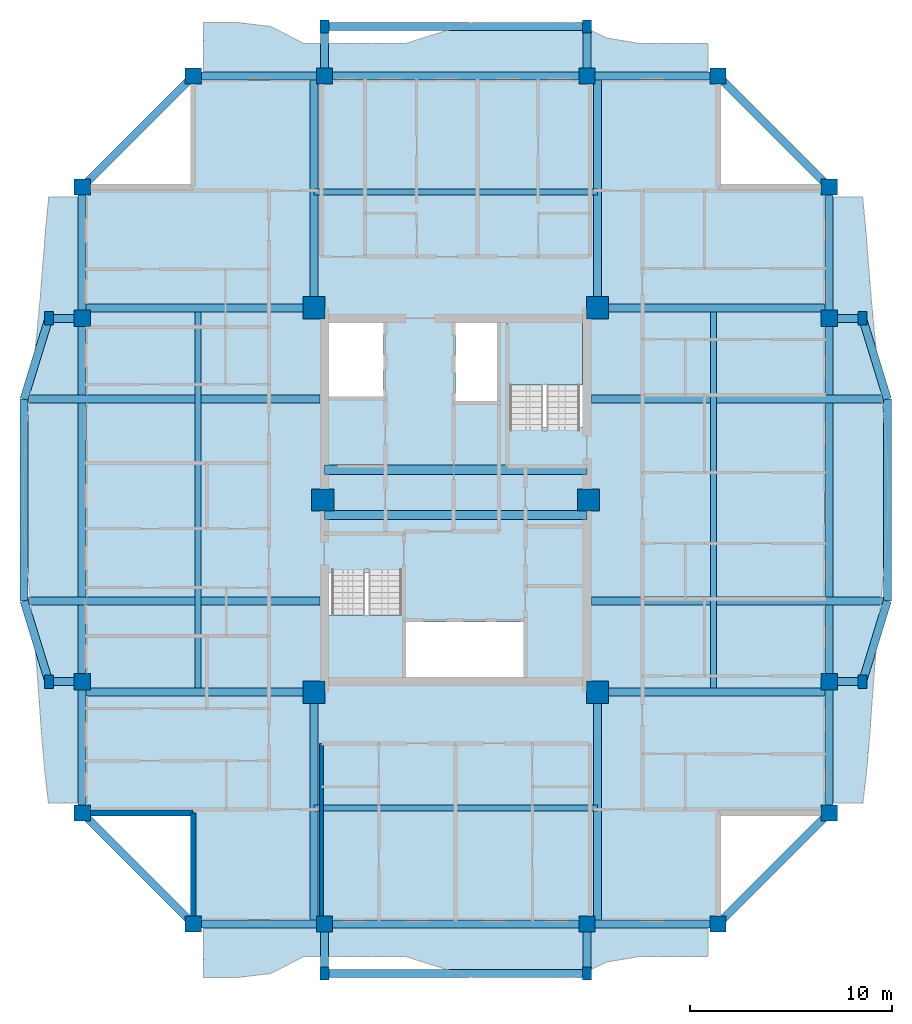
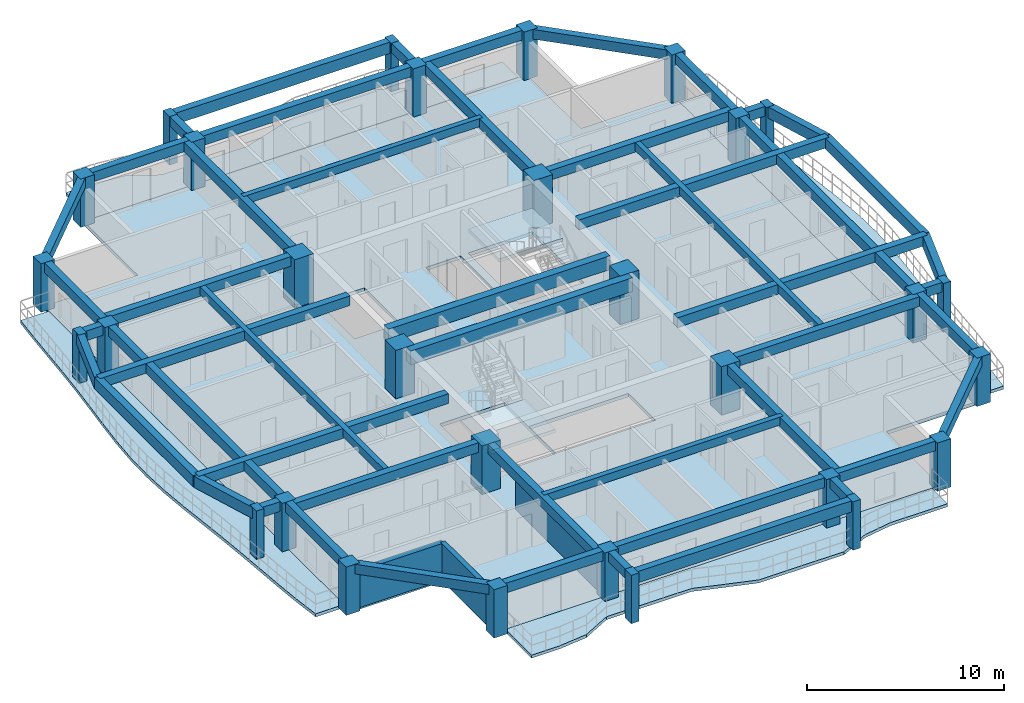
# One storey, part 1 of 13: 50 beams, 30 columns, 7 slabs, 3 walls, 2 elements without a shape of their own.
"""IFC4 building model written with IfcOpenShell, lengths in metres."""

from ifc_helpers import new_model, si_unit, direction, frame, frame_2d, origin, origin_2d, place, context, subcontext, project, spatial, polyline, rectangle, outline, extrude, source, transform, mapped, material, layer, layer_set, material_profile, profile_set, type_object, element, aggregate, save


model = new_model("IFC4")

# Units and contexts
model_context = context("Model", 3, precision=1e-05, world=origin(), true_north=direction((0.0, 1.0)))
body_context = subcontext(model_context, "Body", "Model", "MODEL_VIEW")
ifc_project = project(units=[si_unit("LENGTHUNIT", "METRE"), si_unit("AREAUNIT", "SQUARE_METRE"), si_unit("VOLUMEUNIT", "CUBIC_METRE"), si_unit("PLANEANGLEUNIT", "RADIAN"), si_unit("MASSUNIT", "GRAM", prefix="KILO")], contexts=[model_context])

# Site, building, storey
site_placement = place(None, origin())
site = spatial("IfcSite", under=ifc_project, at=site_placement, CompositionType="ELEMENT")
building_placement = place(site_placement, origin())
building = spatial("IfcBuilding", under=site, at=building_placement, Name="Saelheon Loggia Tower", CompositionType="ELEMENT")
storey_placement = place(building_placement, frame((0.0, 0.0, 199.60009765625)))
storey = spatial("IfcBuildingStorey", under=building, at=storey_placement, Name="L62", CompositionType="ELEMENT", Elevation=199.60009765625)

# Columns
ifc_material_1 = material(Name="Concrete C50/60", Category="concrete")
ifc_material_profile_1 = material_profile(ifc_material_1, rectangle(XDim=1.10009765625, YDim=1.10009765625, at=origin_2d()), Name="RC-1100x1100")
ifc_profile_set_1 = profile_set([ifc_material_profile_1], Name="Concrete C50/60")
column_type_1 = type_object("IfcColumnType", Name="Col_Core_RC1100", PredefinedType="COLUMN", material=ifc_profile_set_1)
shared_shape_1 = source(origin(), body_context, "Body", "SweptSolid", [
    extrude(rectangle(XDim=1.10009765625, YDim=1.10009765625, at=origin_2d()), origin(), (0.0, 0.0, 1.0), 3.0),
])
for number, where, z_axis, x_axis, name in (
    (1, (30.97998046875, 17.47998046875, 0.0), (0.0, 0.0, 1.0), (1.0, 0.0, 0.0), "L62 Core Column CR-SW"),
    (2, (45.02001953125, 17.47998046875, 0.0), (0.0, 0.0, 1.0), (1.0, 0.0, 0.0), "L62 Core Column CR-SE"),
    (3, (30.97998046875, 36.52001953125, 0.0), (0.0, 0.0, 1.0), (1.0, 0.0, 0.0), "L62 Core Column CR-NW"),
    (4, (45.02001953125, 36.52001953125, 0.0), (0.0, 0.0, 1.0), (1.0, 0.0, 0.0), "L62 Core Column CR-NE"),
    (5, (31.419921875, 27.0, 0.0), (0.0, 0.0, 1.0), (1.0, 0.0, 0.0), "L62 Core Column CR-MW"),
    (6, (44.580078125, 27.0, 0.0), (0.0, 0.0, 1.0), (1.0, 0.0, 0.0), "L62 Core Column CR-ME"),
):
    element("IfcColumn", number, at=place(storey_placement, frame(where, z_axis=z_axis, x_axis=x_axis)), inside=storey, type_object=column_type_1, Name=name, PredefinedType="COLUMN", context=body_context, shape_type="MappedRepresentation", body=[
        mapped(shared_shape_1, transform((0.0, 0.0, 0.0), scale=1.0)),
    ])
ifc_material_2 = material(Name="Concrete C45/55", Category="concrete")
ifc_material_profile_2 = material_profile(ifc_material_2, rectangle(XDim=0.800048828125, YDim=0.800048828125, at=origin_2d()), Name="RC-800x800")
ifc_profile_set_2 = profile_set([ifc_material_profile_2], Name="Concrete C45/55")
column_type_2 = type_object("IfcColumnType", Name="Col_Perim_RC800", PredefinedType="COLUMN", material=ifc_profile_set_2)
shared_shape_2 = source(origin(), body_context, "Body", "SweptSolid", [
    extrude(rectangle(XDim=0.800048828125, YDim=0.800048828125, at=origin_2d()), origin(), (0.0, 0.0, 1.0), 3.0),
])
for number, where, z_axis, x_axis, name in (
    (7, (25.0, 6.0, 0.0), (0.0, 0.0, 1.0), (1.0, 0.0, 0.0), "L62 Perimeter Column TP-S1"),
    (8, (31.5, 6.0, 0.0), (0.0, 0.0, 1.0), (1.0, 0.0, 0.0), "L62 Perimeter Column TP-SA"),
    (9, (44.5, 6.0, 0.0), (0.0, 0.0, 1.0), (1.0, 0.0, 0.0), "L62 Perimeter Column TP-SB"),
    (10, (51.0, 6.0, 0.0), (0.0, 0.0, 1.0), (1.0, 0.0, 0.0), "L62 Perimeter Column TP-S2"),
    (11, (56.5, 11.5, 0.0), (0.0, 0.0, 1.0), (1.0, 0.0, 0.0), "L62 Perimeter Column TP-E1"),
    (12, (56.5, 18.0, 0.0), (0.0, 0.0, 1.0), (1.0, 0.0, 0.0), "L62 Perimeter Column TP-EA"),
    (13, (56.5, 36.0, 0.0), (0.0, 0.0, 1.0), (1.0, 0.0, 0.0), "L62 Perimeter Column TP-EB"),
    (14, (56.5, 42.5, 0.0), (0.0, 0.0, 1.0), (1.0, 0.0, 0.0), "L62 Perimeter Column TP-E2"),
    (15, (51.0, 48.0, 0.0), (0.0, 0.0, 1.0), (1.0, 0.0, 0.0), "L62 Perimeter Column TP-N2"),
    (16, (44.5, 48.0, 0.0), (0.0, 0.0, 1.0), (1.0, 0.0, 0.0), "L62 Perimeter Column TP-NB"),
    (17, (31.5, 48.0, 0.0), (0.0, 0.0, 1.0), (1.0, 0.0, 0.0), "L62 Perimeter Column TP-NA"),
    (18, (25.0, 48.0, 0.0), (0.0, 0.0, 1.0), (1.0, 0.0, 0.0), "L62 Perimeter Column TP-N1"),
    (19, (19.5, 42.5, 0.0), (0.0, 0.0, 1.0), (1.0, 0.0, 0.0), "L62 Perimeter Column TP-W2"),
    (20, (19.5, 36.0, 0.0), (0.0, 0.0, 1.0), (1.0, 0.0, 0.0), "L62 Perimeter Column TP-WB"),
    (21, (19.5, 18.0, 0.0), (0.0, 0.0, 1.0), (1.0, 0.0, 0.0), "L62 Perimeter Column TP-WA"),
    (22, (19.5, 11.5, 0.0), (0.0, 0.0, 1.0), (1.0, 0.0, 0.0), "L62 Perimeter Column TP-W1"),
):
    element("IfcColumn", number, at=place(storey_placement, frame(where, z_axis=z_axis, x_axis=x_axis)), inside=storey, type_object=column_type_2, Name=name, PredefinedType="COLUMN", context=body_context, shape_type="MappedRepresentation", body=[
        mapped(shared_shape_2, transform((0.0, 0.0, 0.0), scale=1.0)),
    ])
ifc_material_3 = material(Name="Precast Concrete C45/55", Category="concrete")
ifc_material_profile_3 = material_profile(ifc_material_3, rectangle(XDim=0.449951171875, YDim=0.64990234375, at=origin_2d()), Name="RC-450x650")
ifc_profile_set_3 = profile_set([ifc_material_profile_3], Name="Precast Concrete C45/55")
column_type_3 = type_object("IfcColumnType", Name="Col_Loggia_Pilaster_650", PredefinedType="PILASTER", material=ifc_profile_set_3)
shared_shape_3 = source(origin(), body_context, "Body", "SweptSolid", [
    extrude(rectangle(XDim=0.449951171875, YDim=0.64990234375, at=origin_2d()), origin(), (0.0, 0.0, 1.0), 3.0),
])
for number, where, z_axis, x_axis, name in (
    (23, (31.5, 3.550048828125, 0.0), (0.0, 0.0, 1.0), (1.0, 0.0, 0.0), "L62 Loggia Frame Pilaster LP-S1"),
    (24, (44.5, 3.550048828125, 0.0), (0.0, 0.0, 1.0), (1.0, 0.0, 0.0), "L62 Loggia Frame Pilaster LP-S2"),
    (25, (31.5, 50.449951171875, 0.0), (0.0, 0.0, 1.0), (1.0, 0.0, 0.0), "L62 Loggia Frame Pilaster LP-N1"),
    (26, (44.5, 50.449951171875, 0.0), (0.0, 0.0, 1.0), (1.0, 0.0, 0.0), "L62 Loggia Frame Pilaster LP-N2"),
    (27, (58.14990234375, 18.0, 0.0), (0.0, 0.0, 1.0), (1.0, 0.0, 0.0), "L62 Loggia Frame Pilaster LP-E1"),
    (28, (58.14990234375, 36.0, 0.0), (0.0, 0.0, 1.0), (1.0, 0.0, 0.0), "L62 Loggia Frame Pilaster LP-E2"),
    (29, (17.85009765625, 18.0, 0.0), (0.0, 0.0, 1.0), (1.0, 0.0, 0.0), "L62 Loggia Frame Pilaster LP-W1"),
    (30, (17.85009765625, 36.0, 0.0), (0.0, 0.0, 1.0), (1.0, 0.0, 0.0), "L62 Loggia Frame Pilaster LP-W2"),
):
    element("IfcColumn", number, at=place(storey_placement, frame(where, z_axis=z_axis, x_axis=x_axis)), inside=storey, type_object=column_type_3, Name=name, PredefinedType="PILASTER", context=body_context, shape_type="MappedRepresentation", body=[
        mapped(shared_shape_3, transform((0.0, 0.0, 0.0), scale=1.0)),
    ])

# Beams
ifc_material_profile_4 = material_profile(ifc_material_1, rectangle(XDim=0.449951171875, YDim=0.85009765625, at=origin_2d()), Name="RC-450x850")
ifc_profile_set_4 = profile_set([ifc_material_profile_4], Name="Concrete C50/60")
beam_type_1 = type_object("IfcBeamType", Name="Beam_CoreLintel_RC450x850", PredefinedType="LINTEL", material=ifc_profile_set_4)
shared_shape_4 = source(origin(), body_context, "Body", "SweptSolid", [
    extrude(rectangle(XDim=0.449951171875, YDim=0.85009765625, at=origin_2d()), origin(), (0.0, 0.0, 1.0), 13.0),
])
for number, where, z_axis, x_axis, name in (
    (31, (31.5, 26.25, 2.574951171875), (1.0, 0.0, 0.0), (0.0, 1.0, 0.0), "L62 Core Coupling Lintel 1"),
    (32, (31.5, 28.5, 2.574951171875), (1.0, 0.0, 0.0), (0.0, 1.0, 0.0), "L62 Core Coupling Lintel 2"),
):
    element("IfcBeam", number, at=place(storey_placement, frame(where, z_axis=z_axis, x_axis=x_axis)), inside=storey, type_object=beam_type_1, Name=name, PredefinedType="LINTEL", context=body_context, shape_type="MappedRepresentation", body=[
        mapped(shared_shape_4, transform((0.0, 0.0, 0.0), scale=1.0)),
    ])
ifc_material_profile_5 = material_profile(ifc_material_3, rectangle(XDim=0.39990234375, YDim=0.60009765625, at=origin_2d()), Name="RC-400x600")
ifc_profile_set_5 = profile_set([ifc_material_profile_5], Name="Precast Concrete C45/55")
beam_type_2 = type_object("IfcBeamType", Name="Beam_LoggiaTie_RC400x600", PredefinedType="BEAM", material=ifc_profile_set_5)
shared_shape_5 = source(origin(), body_context, "Body", "SweptSolid", [
    extrude(rectangle(XDim=0.39990234375, YDim=0.60009765625, at=origin_2d()), origin(), (0.0, 0.0, 1.0), 2.449951171875),
])
for number, where, z_axis, x_axis, name in (
    (33, (31.5, 6.0, 2.699951171875), (0.0, -1.0, 0.0), (1.0, 0.0, 0.0), "L62 Loggia Frame Tie Beam LP-S1"),
    (34, (44.5, 6.0, 2.699951171875), (0.0, -1.0, 0.0), (1.0, 0.0, 0.0), "L62 Loggia Frame Tie Beam LP-S2"),
    (35, (31.5, 48.0, 2.699951171875), (0.0, 1.0, 0.0), (-1.0, 0.0, 0.0), "L62 Loggia Frame Tie Beam LP-N1"),
    (36, (44.5, 48.0, 2.699951171875), (0.0, 1.0, 0.0), (-1.0, 0.0, 0.0), "L62 Loggia Frame Tie Beam LP-N2"),
):
    element("IfcBeam", number, at=place(storey_placement, frame(where, z_axis=z_axis, x_axis=x_axis)), inside=storey, type_object=beam_type_2, Name=name, PredefinedType="BEAM", context=body_context, shape_type="MappedRepresentation", body=[
        mapped(shared_shape_5, transform((0.0, 0.0, 0.0), scale=1.0)),
    ])
ifc_material_4 = material(Name="Concrete C40/50", Category="concrete")
ifc_material_profile_6 = material_profile(ifc_material_4, rectangle(XDim=0.300048828125, YDim=0.5, at=origin_2d()), Name="RC-300x500")
ifc_profile_set_6 = profile_set([ifc_material_profile_6], Name="Concrete C40/50")
beam_type_3 = type_object("IfcBeamType", Name="Beam_Joist_RC300x500", PredefinedType="JOIST", material=ifc_profile_set_6)
shared_shape_6 = source(origin(), body_context, "Body", "SweptSolid", [
    extrude(rectangle(XDim=0.300048828125, YDim=0.5, at=origin_2d()), origin(), (0.0, 0.0, 1.0), 14.0400390625),
])
for number, where, z_axis, x_axis, name in (
    (37, (30.97998046875, 11.739990234375, 2.75), (1.0, 0.0, 0.0), (0.0, 1.0, 0.0), "L62 South Floor Joist"),
    (38, (30.97998046875, 42.260009765625, 2.75), (1.0, 0.0, 0.0), (0.0, 1.0, 0.0), "L62 North Floor Joist"),
):
    element("IfcBeam", number, at=place(storey_placement, frame(where, z_axis=z_axis, x_axis=x_axis)), inside=storey, type_object=beam_type_3, Name=name, PredefinedType="JOIST", context=body_context, shape_type="MappedRepresentation", body=[
        mapped(shared_shape_6, transform((0.0, 0.0, 0.0), scale=1.0)),
    ])
shared_shape_7 = source(origin(), body_context, "Body", "SweptSolid", [
    extrude(rectangle(XDim=0.300048828125, YDim=0.5, at=origin_2d()), origin(), (0.0, 0.0, 1.0), 19.0400390625),
])
for number, where, z_axis, x_axis, name in (
    (39, (25.239990234375, 17.47998046875, 2.75), (0.0, 1.0, 0.0), (-1.0, 0.0, 0.0), "L62 West Floor Joist"),
    (40, (50.760009765625, 17.47998046875, 2.75), (0.0, 1.0, 0.0), (-1.0, 0.0, 0.0), "L62 East Floor Joist"),
):
    element("IfcBeam", number, at=place(storey_placement, frame(where, z_axis=z_axis, x_axis=x_axis)), inside=storey, type_object=beam_type_3, Name=name, PredefinedType="JOIST", context=body_context, shape_type="MappedRepresentation", body=[
        mapped(shared_shape_7, transform((0.0, 0.0, 0.0), scale=1.0)),
    ])
shared_shape_8 = source(origin(), body_context, "Body", "SweptSolid", [
    extrude(rectangle(XDim=0.39990234375, YDim=0.60009765625, at=origin_2d()), origin(), (0.0, 0.0, 1.0), 1.64990234375),
])
for number, where, z_axis, x_axis, name in (
    (41, (56.5, 18.0, 2.699951171875), (1.0, 0.0, 0.0), (0.0, 1.0, 0.0), "L62 Loggia Frame Tie Beam LP-E1"),
    (42, (56.5, 36.0, 2.699951171875), (1.0, 0.0, 0.0), (0.0, 1.0, 0.0), "L62 Loggia Frame Tie Beam LP-E2"),
    (43, (19.5, 18.0, 2.699951171875), (-1.0, 0.0, 0.0), (0.0, -1.0, 0.0), "L62 Loggia Frame Tie Beam LP-W1"),
    (44, (19.5, 36.0, 2.699951171875), (-1.0, 0.0, 0.0), (0.0, -1.0, 0.0), "L62 Loggia Frame Tie Beam LP-W2"),
):
    element("IfcBeam", number, at=place(storey_placement, frame(where, z_axis=z_axis, x_axis=x_axis)), inside=storey, type_object=beam_type_2, Name=name, PredefinedType="BEAM", context=body_context, shape_type="MappedRepresentation", body=[
        mapped(shared_shape_8, transform((0.0, 0.0, 0.0), scale=1.0)),
    ])
ifc_material_profile_7 = material_profile(ifc_material_3, rectangle(XDim=0.39990234375, YDim=0.699951171875, at=origin_2d()), Name="RC-400x700")
ifc_profile_set_7 = profile_set([ifc_material_profile_7], Name="Precast Concrete C45/55")
beam_type_4 = type_object("IfcBeamType", Name="Beam_LoggiaSpandrel_RC400x700", PredefinedType="SPANDREL", material=ifc_profile_set_7)
shared_shape_9 = source(origin(), body_context, "Body", "SweptSolid", [
    extrude(rectangle(XDim=0.39990234375, YDim=0.699951171875, at=origin_2d()), origin(), (0.0, 0.0, 1.0), 13.0),
])
for number, where, z_axis, x_axis, name in (
    (45, (31.5, 3.550048828125, 2.64990234375), (1.0, 0.0, 0.0), (0.0, 1.0, 0.0), "L62 Loggia Spandrel Beam S"),
    (46, (31.5, 50.449951171875, 2.64990234375), (1.0, 0.0, 0.0), (0.0, 1.0, 0.0), "L62 Loggia Spandrel Beam N"),
):
    element("IfcBeam", number, at=place(storey_placement, frame(where, z_axis=z_axis, x_axis=x_axis)), inside=storey, type_object=beam_type_4, Name=name, PredefinedType="SPANDREL", context=body_context, shape_type="MappedRepresentation", body=[
        mapped(shared_shape_9, transform((0.0, 0.0, 0.0), scale=1.0)),
    ])
shared_shape_10 = source(origin(), body_context, "Body", "SweptSolid", [
    extrude(rectangle(XDim=0.39990234375, YDim=0.699951171875, at=origin_2d()), origin(), (0.0, 0.0, 1.0), 4.184814453125),
])
for number, where, z_axis, x_axis, name in (
    (47, (58.14990234375, 18.0, 2.64990234375), (0.293913664135, 0.955831971653, 0.0), (-0.955831971653, 0.293913664135, 0.0), "L62 Curved Loggia Spandrel E 1"),
    (48, (59.3798828125, 32.0, 2.64990234375), (-0.293913664135, 0.955831971653, 0.0), (-0.955831971653, -0.293913664135, 0.0), "L62 Curved Loggia Spandrel E 3"),
    (49, (17.85009765625, 18.0, 2.64990234375), (-0.293913664135, 0.955831971653, 0.0), (-0.955831971653, -0.293913664135, 0.0), "L62 Curved Loggia Spandrel W 1"),
    (50, (16.6201171875, 32.0, 2.64990234375), (0.293913664135, 0.955831971653, 0.0), (-0.955831971653, 0.293913664135, 0.0), "L62 Curved Loggia Spandrel W 3"),
):
    element("IfcBeam", number, at=place(storey_placement, frame(where, z_axis=z_axis, x_axis=x_axis)), inside=storey, type_object=beam_type_4, Name=name, PredefinedType="SPANDREL", context=body_context, shape_type="MappedRepresentation", body=[
        mapped(shared_shape_10, transform((0.0, 0.0, 0.0), scale=1.0)),
    ])
shared_shape_11 = source(origin(), body_context, "Body", "SweptSolid", [
    extrude(rectangle(XDim=0.39990234375, YDim=0.699951171875, at=origin_2d()), origin(), (0.0, 0.0, 1.0), 10.0),
])
for number, where, z_axis, x_axis, name in (
    (51, (59.3798828125, 22.0, 2.64990234375), (0.0, 1.0, 0.0), (-1.0, 0.0, 0.0), "L62 Curved Loggia Spandrel E 2"),
    (52, (16.6201171875, 22.0, 2.64990234375), (0.0, 1.0, 0.0), (-1.0, 0.0, 0.0), "L62 Curved Loggia Spandrel W 2"),
):
    element("IfcBeam", number, at=place(storey_placement, frame(where, z_axis=z_axis, x_axis=x_axis)), inside=storey, type_object=beam_type_4, Name=name, PredefinedType="SPANDREL", context=body_context, shape_type="MappedRepresentation", body=[
        mapped(shared_shape_11, transform((0.0, 0.0, 0.0), scale=1.0)),
    ])
ifc_material_profile_8 = material_profile(ifc_material_4, rectangle(XDim=0.39990234375, YDim=0.60009765625, at=origin_2d()), Name="RC-400x600")
ifc_profile_set_8 = profile_set([ifc_material_profile_8], Name="Concrete C40/50")
beam_type_5 = type_object("IfcBeamType", Name="Beam_PerimUpper_RC400x600", PredefinedType="BEAM", material=ifc_profile_set_8)
shared_shape_12 = source(origin(), body_context, "Body", "SweptSolid", [
    extrude(rectangle(XDim=0.39990234375, YDim=0.60009765625, at=origin_2d()), origin(), (0.0, 0.0, 1.0), 13.0),
])
for number, where, z_axis, x_axis, name in (
    (53, (31.5, 6.0, 2.699951171875), (1.0, 0.0, 0.0), (0.0, 1.0, 0.0), "L62 Perimeter Frame Girder 02"),
    (54, (44.5, 48.0, 2.699951171875), (-1.0, 0.0, 0.0), (0.0, -1.0, 0.0), "L62 Perimeter Frame Girder 10"),
):
    element("IfcBeam", number, at=place(storey_placement, frame(where, z_axis=z_axis, x_axis=x_axis)), inside=storey, type_object=beam_type_5, Name=name, PredefinedType="BEAM", context=body_context, shape_type="MappedRepresentation", body=[
        mapped(shared_shape_12, transform((0.0, 0.0, 0.0), scale=1.0)),
    ])
shared_shape_13 = source(origin(), body_context, "Body", "SweptSolid", [
    extrude(rectangle(XDim=0.39990234375, YDim=0.60009765625, at=origin_2d()), origin(), (0.0, 0.0, 1.0), 18.0),
])
for number, where, z_axis, x_axis, name in (
    (55, (56.5, 18.0, 2.699951171875), (0.0, 1.0, 0.0), (-1.0, 0.0, 0.0), "L62 Perimeter Frame Girder 06"),
    (56, (19.5, 36.0, 2.699951171875), (0.0, -1.0, 0.0), (1.0, 0.0, 0.0), "L62 Perimeter Frame Girder 14"),
):
    element("IfcBeam", number, at=place(storey_placement, frame(where, z_axis=z_axis, x_axis=x_axis)), inside=storey, type_object=beam_type_5, Name=name, PredefinedType="BEAM", context=body_context, shape_type="MappedRepresentation", body=[
        mapped(shared_shape_13, transform((0.0, 0.0, 0.0), scale=1.0)),
    ])
ifc_material_profile_9 = material_profile(ifc_material_4, rectangle(XDim=0.39990234375, YDim=0.60009765625, at=origin_2d()), Name="RC-400x600")
ifc_profile_set_9 = profile_set([ifc_material_profile_9], Name="Concrete C40/50")
beam_type_6 = type_object("IfcBeamType", Name="Beam_UpperGirder_RC400x600", PredefinedType="BEAM", material=ifc_profile_set_9)
shared_shape_14 = source(origin(), body_context, "Body", "SweptSolid", [
    extrude(rectangle(XDim=0.39990234375, YDim=0.60009765625, at=origin_2d()), origin(), (0.0, 0.0, 1.0), 11.47998046875),
])
for number, where, z_axis, x_axis, name in (
    (57, (30.97998046875, 17.47998046875, 2.699951171875), (0.0, -1.0, 0.0), (1.0, 0.0, 0.0), "L62 Radial Floor Girder RAD-SW-S"),
    (58, (45.02001953125, 17.47998046875, 2.699951171875), (0.0, -1.0, 0.0), (1.0, 0.0, 0.0), "L62 Radial Floor Girder RAD-SE-S"),
    (59, (30.97998046875, 36.52001953125, 2.699951171875), (0.0, 1.0, 0.0), (-1.0, 0.0, 0.0), "L62 Radial Floor Girder RAD-NW-N"),
    (60, (45.02001953125, 36.52001953125, 2.699951171875), (0.0, 1.0, 0.0), (-1.0, 0.0, 0.0), "L62 Radial Floor Girder RAD-NE-N"),
    (61, (30.97998046875, 17.47998046875, 2.699951171875), (-1.0, 0.0, 0.0), (0.0, -1.0, 0.0), "L62 Radial Floor Girder RAD-SW-W"),
    (62, (30.97998046875, 36.52001953125, 2.699951171875), (-1.0, 0.0, 0.0), (0.0, -1.0, 0.0), "L62 Radial Floor Girder RAD-NW-W"),
    (63, (45.02001953125, 17.47998046875, 2.699951171875), (1.0, 0.0, 0.0), (0.0, 1.0, 0.0), "L62 Radial Floor Girder RAD-SE-E"),
    (64, (45.02001953125, 36.52001953125, 2.699951171875), (1.0, 0.0, 0.0), (0.0, 1.0, 0.0), "L62 Radial Floor Girder RAD-NE-E"),
):
    element("IfcBeam", number, at=place(storey_placement, frame(where, z_axis=z_axis, x_axis=x_axis)), inside=storey, type_object=beam_type_6, Name=name, PredefinedType="BEAM", context=body_context, shape_type="MappedRepresentation", body=[
        mapped(shared_shape_14, transform((0.0, 0.0, 0.0), scale=1.0)),
    ])
shared_shape_15 = source(origin(), body_context, "Body", "SweptSolid", [
    extrude(rectangle(XDim=0.39990234375, YDim=0.60009765625, at=origin_2d()), origin(), (0.0, 0.0, 1.0), 6.5),
])
for number, where, z_axis, x_axis, name in (
    (65, (25.0, 6.0, 2.699951171875), (1.0, 0.0, 0.0), (0.0, 1.0, 0.0), "L62 Perimeter Frame Girder 01"),
    (66, (44.5, 6.0, 2.699951171875), (1.0, 0.0, 0.0), (0.0, 1.0, 0.0), "L62 Perimeter Frame Girder 03"),
    (67, (56.5, 11.5, 2.699951171875), (0.0, 1.0, 0.0), (-1.0, 0.0, 0.0), "L62 Perimeter Frame Girder 05"),
    (68, (56.5, 36.0, 2.699951171875), (0.0, 1.0, 0.0), (-1.0, 0.0, 0.0), "L62 Perimeter Frame Girder 07"),
    (69, (51.0, 48.0, 2.699951171875), (-1.0, 0.0, 0.0), (0.0, -1.0, 0.0), "L62 Perimeter Frame Girder 09"),
    (70, (31.5, 48.0, 2.699951171875), (-1.0, 0.0, 0.0), (0.0, -1.0, 0.0), "L62 Perimeter Frame Girder 11"),
    (71, (19.5, 42.5, 2.699951171875), (0.0, -1.0, 0.0), (1.0, 0.0, 0.0), "L62 Perimeter Frame Girder 13"),
    (72, (19.5, 18.0, 2.699951171875), (0.0, -1.0, 0.0), (1.0, 0.0, 0.0), "L62 Perimeter Frame Girder 15"),
):
    element("IfcBeam", number, at=place(storey_placement, frame(where, z_axis=z_axis, x_axis=x_axis)), inside=storey, type_object=beam_type_5, Name=name, PredefinedType="BEAM", context=body_context, shape_type="MappedRepresentation", body=[
        mapped(shared_shape_15, transform((0.0, 0.0, 0.0), scale=1.0)),
    ])
shared_shape_16 = source(origin(), body_context, "Body", "SweptSolid", [
    extrude(rectangle(XDim=0.39990234375, YDim=0.60009765625, at=origin_2d()), origin(), (0.0, 0.0, 1.0), 7.778076171875),
])
for number, where, z_axis, x_axis, name in (
    (73, (51.0, 6.0, 2.699951171875), (0.707106781187, 0.707106781187, 0.0), (-0.707106781187, 0.707106781187, 0.0), "L62 Perimeter Frame Girder 04"),
    (74, (56.5, 42.5, 2.699951171875), (-0.707106781187, 0.707106781187, 0.0), (-0.707106781187, -0.707106781187, 0.0), "L62 Perimeter Frame Girder 08"),
    (75, (25.0, 48.0, 2.699951171875), (-0.707106781187, -0.707106781187, 0.0), (0.707106781187, -0.707106781187, 0.0), "L62 Perimeter Frame Girder 12"),
    (76, (19.5, 11.5, 2.699951171875), (0.707106781187, -0.707106781187, 0.0), (0.707106781187, 0.707106781187, 0.0), "L62 Perimeter Frame Girder 16"),
):
    element("IfcBeam", number, at=place(storey_placement, frame(where, z_axis=z_axis, x_axis=x_axis)), inside=storey, type_object=beam_type_5, Name=name, PredefinedType="BEAM", context=body_context, shape_type="MappedRepresentation", body=[
        mapped(shared_shape_16, transform((0.0, 0.0, 0.0), scale=1.0)),
    ])
shared_shape_17 = source(origin(), body_context, "Body", "SweptSolid", [
    extrude(rectangle(XDim=0.39990234375, YDim=0.60009765625, at=origin_2d()), origin(), (0.0, 0.0, 1.0), 14.659912109375),
])
for number, where, z_axis, x_axis, name in (
    (77, (44.719970703125, 22.0, 2.699951171875), (1.0, 0.0, 0.0), (0.0, 1.0, 0.0), "L62 Curved Facade Outrigger Beam E 1"),
    (78, (44.719970703125, 32.0, 2.699951171875), (1.0, 0.0, 0.0), (0.0, 1.0, 0.0), "L62 Curved Facade Outrigger Beam E 2"),
    (79, (31.280029296875, 22.0, 2.699951171875), (-1.0, 0.0, 0.0), (0.0, -1.0, 0.0), "L62 Curved Facade Outrigger Beam W 1"),
    (80, (31.280029296875, 32.0, 2.699951171875), (-1.0, 0.0, 0.0), (0.0, -1.0, 0.0), "L62 Curved Facade Outrigger Beam W 2"),
):
    element("IfcBeam", number, at=place(storey_placement, frame(where, z_axis=z_axis, x_axis=x_axis)), inside=storey, type_object=beam_type_2, Name=name, PredefinedType="BEAM", context=body_context, shape_type="MappedRepresentation", body=[
        mapped(shared_shape_17, transform((0.0, 0.0, 0.0), scale=1.0)),
    ])

# Slabs
ifc_layer_1 = layer(ifc_material_3, 0.18994140625)
ifc_layer_set_1 = layer_set([ifc_layer_1], Name="Precast Concrete C45/55")
slab_type_1 = type_object("IfcSlabType", Name="Slab_Loggia_Ext_190", PredefinedType="FLOOR", material=ifc_layer_set_1)
slab_1_placement = place(storey_placement, frame((0.0, 0.0, -0.190185546875)))
element("IfcSlab", 81, at=slab_1_placement, inside=storey, type_object=slab_type_1, Name="L62 Loggia Balcony Slab S", PredefinedType="FLOOR", context=body_context, shape_type="SweptSolid", body=[
    extrude(outline(polyline([(25.5, 3.35009765625), (27.166748046875, 3.35009765625), (28.833251953125, 3.544677734375), (30.5, 4.39990234375), (32.166748046875, 4.39990234375), (33.833251953125, 4.39990234375), (35.5, 4.39990234375), (37.166748046875, 3.8681640625), (38.833251953125, 3.35009765625), (40.5, 3.35009765625), (42.166748046875, 3.35009765625), (43.833251953125, 3.35009765625), (45.5, 4.1201171875), (47.166748046875, 4.39990234375), (48.833251953125, 4.39990234375), (50.5, 4.39990234375), (50.5, 6.0), (25.5, 6.0), (25.5, 3.35009765625)])), origin(), (0.0, 0.0, 1.0), 0.190185546875),
])
slab_2_placement = place(storey_placement, frame((0.0, 0.0, -0.190185546875)))
element("IfcSlab", 82, at=slab_2_placement, inside=storey, type_object=slab_type_1, Name="L62 Loggia Balcony Slab N", PredefinedType="FLOOR", context=body_context, shape_type="SweptSolid", body=[
    extrude(outline(polyline([(25.5, 48.0), (50.5, 48.0), (50.5, 49.60009765625), (48.833251953125, 49.60009765625), (47.166748046875, 49.60009765625), (45.5, 49.8798828125), (43.833251953125, 50.64990234375), (42.166748046875, 50.64990234375), (40.5, 50.64990234375), (38.833251953125, 50.64990234375), (37.166748046875, 50.1318359375), (35.5, 49.60009765625), (33.833251953125, 49.60009765625), (32.166748046875, 49.60009765625), (30.5, 49.60009765625), (28.833251953125, 50.455322265625), (27.166748046875, 50.64990234375), (25.5, 50.64990234375), (25.5, 48.0)])), origin(), (0.0, 0.0, 1.0), 0.190185546875),
])
slab_3_placement = place(storey_placement, frame((0.0, 0.0, -0.190185546875)))
element("IfcSlab", 83, at=slab_3_placement, inside=storey, type_object=slab_type_1, Name="L62 Loggia Balcony Slab E", PredefinedType="FLOOR", context=body_context, shape_type="SweptSolid", body=[
    extrude(outline(polyline([(56.5, 12.0), (58.169921875, 12.0), (58.361083984375, 13.666748046875), (58.504638671875, 15.333251953125), (58.62353515625, 17.0), (58.745849609375, 18.666748046875), (58.890380859375, 20.333251953125), (59.056640625, 22.0), (59.222900390625, 23.666748046875), (59.3544921875, 25.333251953125), (59.41650390625, 27.0), (59.39013671875, 28.666748046875), (59.279052734375, 30.333251953125), (59.1083984375, 32.0), (58.91552734375, 33.666748046875), (58.7333984375, 35.333251953125), (58.5791015625, 37.0), (58.447265625, 38.666748046875), (58.315673828125, 40.333251953125), (58.15625, 42.0), (56.5, 42.0), (56.5, 12.0)])), origin(), (0.0, 0.0, 1.0), 0.190185546875),
])
slab_4_placement = place(storey_placement, frame((0.0, 0.0, -0.190185546875)))
element("IfcSlab", 84, at=slab_4_placement, inside=storey, type_object=slab_type_1, Name="L62 Loggia Balcony Slab W", PredefinedType="FLOOR", context=body_context, shape_type="SweptSolid", body=[
    extrude(outline(polyline([(19.5, 12.0), (19.5, 42.0), (17.84375, 42.0), (17.684326171875, 40.333251953125), (17.552734375, 38.666748046875), (17.4208984375, 37.0), (17.2666015625, 35.333251953125), (17.08447265625, 33.666748046875), (16.8916015625, 32.0), (16.720947265625, 30.333251953125), (16.60986328125, 28.666748046875), (16.58349609375, 27.0), (16.6455078125, 25.333251953125), (16.777099609375, 23.666748046875), (16.943359375, 22.0), (17.109619140625, 20.333251953125), (17.254150390625, 18.666748046875), (17.37646484375, 17.0), (17.495361328125, 15.333251953125), (17.638916015625, 13.666748046875), (17.830078125, 12.0), (19.5, 12.0)])), origin(), (0.0, 0.0, 1.0), 0.190185546875),
])

# Stair, slab
stair_type = type_object("IfcStairType", Name="Stair_Escape_Core", PredefinedType="HALF_TURN_STAIR", material=ifc_material_4)
stair_1_placement = place(storey_placement, origin())
stair_1 = element("IfcStair", 85, at=stair_1_placement, inside=storey, type_object=stair_type, Name="L62 Special Escape Stair ST1", PredefinedType="HALF_TURN_STAIR")
ifc_layer_2 = layer(ifc_material_4, 0.199951171875)
ifc_layer_set_2 = layer_set([ifc_layer_2], Name="Concrete C40/50")
slab_type_2 = type_object("IfcSlabType", Name="Slab_StairLanding_ST1", PredefinedType="LANDING", material=ifc_layer_set_2)
slab_5_placement = place(storey_placement, frame((0.0, 0.0, 1.2998046875)))
slab_5 = element("IfcSlab", 86, at=slab_5_placement, type_object=slab_type_2, Name="ST1 landing 1", PredefinedType="LANDING", context=body_context, shape_type="SweptSolid", body=[
    extrude(outline(polyline([(31.7099609375, 21.31005859375), (31.7099609375, 18.2099609375), (35.469970703125, 18.2099609375), (35.469970703125, 21.31005859375), (31.7099609375, 21.31005859375)])), origin(), (0.0, 0.0, 1.0), 0.2001953125),
])
aggregate(stair_1, [slab_5])

stair_2_placement = place(storey_placement, origin())
stair_2 = element("IfcStair", 87, at=stair_2_placement, inside=storey, type_object=stair_type, Name="L62 Special Escape Stair ST2", PredefinedType="HALF_TURN_STAIR")
ifc_layer_3 = layer(ifc_material_4, 0.199951171875)
ifc_layer_set_3 = layer_set([ifc_layer_3], Name="Concrete C40/50")
slab_type_3 = type_object("IfcSlabType", Name="Slab_StairLanding_ST2", PredefinedType="LANDING", material=ifc_layer_set_3)
slab_6_placement = place(storey_placement, frame((0.0, 0.0, 1.2998046875)))
slab_6 = element("IfcSlab", 88, at=slab_6_placement, type_object=slab_type_3, Name="ST2 landing 1", PredefinedType="LANDING", context=body_context, shape_type="SweptSolid", body=[
    extrude(outline(polyline([(44.2900390625, 32.68994140625), (44.2900390625, 35.7900390625), (40.530029296875, 35.7900390625), (40.530029296875, 32.68994140625), (44.2900390625, 32.68994140625)])), origin(), (0.0, 0.0, 1.0), 0.2001953125),
])
aggregate(stair_2, [slab_6])

# Slab
ifc_layer_4 = layer(ifc_material_4, 0.2099609375)
ifc_layer_set_4 = layer_set([ifc_layer_4], Name="Concrete C40/50")
slab_type_4 = type_object("IfcSlabType", Name="Slab_Tower_210", PredefinedType="FLOOR", material=ifc_layer_set_4)
slab_7_placement = place(storey_placement, frame((0.0, 0.0, -0.210205078125)))
element("IfcSlab", 89, at=slab_7_placement, inside=storey, type_object=slab_type_4, Name="L62 Tower Floor Slab", PredefinedType="FLOOR", context=body_context, shape_type="SweptSolid", body=[
    extrude(outline(polyline([(25.0, 6.0), (51.0, 6.0), (51.0, 11.5), (56.5, 11.5), (56.5, 42.5), (51.0, 42.5), (51.0, 48.0), (25.0, 48.0), (25.0, 42.5), (19.5, 42.5), (19.5, 11.5), (25.0, 11.5), (25.0, 6.0)]), holes=[polyline([(31.699951171875, 23.409912109375), (31.699951171875, 18.199951171875), (35.47998046875, 18.199951171875), (35.47998046875, 23.409912109375), (31.699951171875, 23.409912109375)]), polyline([(44.300048828125, 30.590087890625), (44.300048828125, 35.800048828125), (40.52001953125, 35.800048828125), (40.52001953125, 30.590087890625), (44.300048828125, 30.590087890625)]), polyline([(35.530029296875, 18.22509765625), (41.35009765625, 18.22509765625), (41.35009765625, 20.9599609375), (35.530029296875, 20.9599609375), (35.530029296875, 18.22509765625)]), polyline([(31.72509765625, 32.1201171875), (34.419921875, 32.1201171875), (34.419921875, 35.77490234375), (31.72509765625, 35.77490234375), (31.72509765625, 32.1201171875)]), polyline([(38.0, 31.89990234375), (40.050048828125, 31.89990234375), (40.050048828125, 35.77490234375), (38.0, 35.77490234375), (38.0, 31.89990234375)])]), origin(), (0.0, 0.0, 1.0), 0.210205078125),
])

# Walls
ifc_material_5 = material(Name="Architectural Precast Concrete C40/50", Category="concrete")
ifc_layer_5 = layer(ifc_material_5, 0.280029296875)
ifc_layer_set_5 = layer_set([ifc_layer_5], Name="Architectural Precast Concrete C40/50")
wall_type_1 = type_object("IfcWallType", Name="Wall_Ext_Loggia_280", PredefinedType="SOLIDWALL", material=ifc_layer_set_5)
for number, where, z_axis, x_axis, name in (
    (90, (25.0, 6.080078125, 0.0), (0.0, 0.0, 1.0), (0.0, 1.0, 0.0), "L62 Corner Notch Precast Wall SW1"),
    (91, (19.580078125, 11.5, 0.0), (0.0, 0.0, 1.0), (1.0, 0.0, 0.0), "L62 Corner Notch Precast Wall SW2"),
):
    element("IfcWall", number, at=place(storey_placement, frame(where, z_axis=z_axis, x_axis=x_axis)), inside=storey, type_object=wall_type_1, Name=name, PredefinedType="SOLIDWALL", context=body_context, shape_type="SweptSolid", body=[
        extrude(rectangle(XDim=5.419921875, YDim=0.280029296875, at=frame_2d((2.7099609375, 0.0))), origin(), (0.0, 0.0, 1.0), 2.27978515625),
    ])
ifc_material_6 = material(Name="Double Acoustic Stud and Fireboard Partition", Category="gypsum")
ifc_layer_6 = layer(ifc_material_6, 0.199951171875)
ifc_layer_set_6 = layer_set([ifc_layer_6], Name="Double Acoustic Stud and Fireboard Partition")
wall_type_2 = type_object("IfcWallType", Name="Wall_Party_200", PredefinedType="PARTITIONING", material=ifc_layer_set_6)
wall_placement = place(storey_placement, frame((31.35009765625, 14.949951171875, 0.0), z_axis=(0.0, 0.0, 1.0), x_axis=(0.0, -1.0, 0.0)))
element("IfcWall", 92, at=wall_placement, inside=storey, type_object=wall_type_2, Name="L62 S Partition U01", PredefinedType="PARTITIONING", context=body_context, shape_type="SweptSolid", body=[
    extrude(rectangle(XDim=8.800048828125, YDim=0.199951171875, at=frame_2d((4.39990234375, 0.0))), origin(), (0.0, 0.0, 1.0), 2.389892578125),
])

save(model, "model.ifc")
